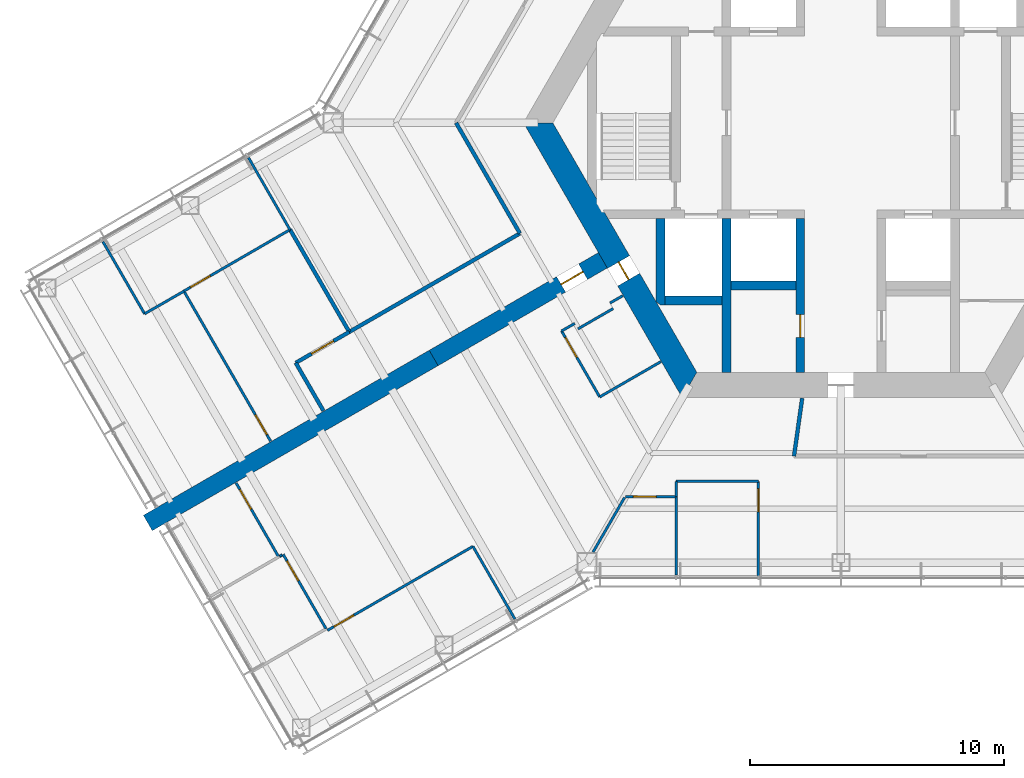
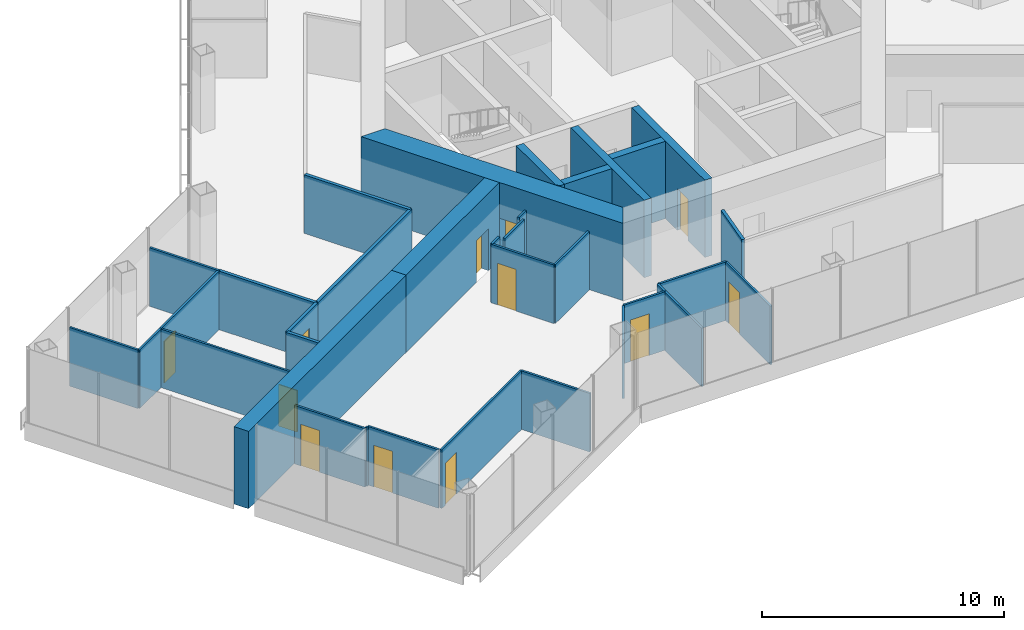
# One storey, part 12 of 18: 35 walls, 12 doors, 12 openings.
"""IFC4 building model written with IfcOpenShell, lengths in metres."""

from ifc_helpers import new_model, si_unit, direction, frame, frame_2d, origin, place, context, subcontext, project, spatial, polyline, rectangle, outline, extrude, material, layer, layer_set, type_object, element, fill, save


model = new_model("IFC4")

# Units and contexts
model_context = context("Model", 3, precision=1e-05, world=origin(), true_north=direction((0.0, 1.0)))
body_context = subcontext(model_context, "Body", "Model", "MODEL_VIEW")
ifc_project = project(units=[si_unit("LENGTHUNIT", "METRE"), si_unit("AREAUNIT", "SQUARE_METRE"), si_unit("VOLUMEUNIT", "CUBIC_METRE"), si_unit("PLANEANGLEUNIT", "RADIAN"), si_unit("MASSUNIT", "GRAM", prefix="KILO")], contexts=[model_context])

# Site, building, storey
site_placement = place(None, origin())
site = spatial("IfcSite", under=ifc_project, at=site_placement, CompositionType="ELEMENT")
building_placement = place(site_placement, origin())
building = spatial("IfcBuilding", under=site, at=building_placement, Name="Kasaneha Research Tower", CompositionType="ELEMENT")
storey_placement = place(building_placement, frame((0.0, 0.0, 195.5)))
storey = spatial("IfcBuildingStorey", under=building, at=storey_placement, Name="L49", CompositionType="ELEMENT", Elevation=195.5)

# Wall, opening, door
ifc_material_1 = material(Name="Concrete Fc70", Category="concrete")
ifc_layer_1 = layer(ifc_material_1, 0.35009765625)
ifc_layer_set_1 = layer_set([ifc_layer_1], Name="Core internal wall 350 Fc70")
wall_type_1 = type_object("IfcWallType", Name="Core internal wall 350 Fc70", PredefinedType="SHEAR", material=ifc_layer_set_1)
wall_1_placement = place(storey_placement, frame((-1.60009765625, -3.77490234375, 0.0), z_axis=(0.0, 0.0, 1.0), x_axis=(0.0, -1.0, 0.0)))
wall_1 = element("IfcWall", 1, at=wall_1_placement, inside=storey, type_object=wall_type_1, Name="Core wall CSW L49", PredefinedType="SHEAR", context=body_context, shape_type="SweptSolid", body=[
    extrude(rectangle(XDim=6.050048828125, YDim=0.35009765625, at=frame_2d((3.02490234375, 0.0))), origin(), (0.0, 0.0, 1.0), 3.89990234375),
])
opening_1_placement = place(wall_1_placement, frame((3.77490234375, 0.0, 0.0)))
opening_1 = element("IfcOpeningElement", 2, at=opening_1_placement, cuts=wall_1, Name="Opening L49-D16", PredefinedType="OPENING", context=body_context, shape_type="SweptSolid", body=[
    extrude(rectangle(XDim=0.89990234375, YDim=2.10009765625, at=frame_2d((0.449951171875, 1.050048828125))), frame((0.0, 0.18505859375, 0.0), z_axis=(0.0, -1.0, 0.0), x_axis=(1.0, 0.0, 0.0)), (0.0, 0.0, 1.0), 0.3701171875),
])
ifc_material_2 = material(Name="Steel", Category="steel")
door_type_1 = type_object("IfcDoorType", Name="Riser access door FD60 900x2100", OperationType="NOTDEFINED", PredefinedType="DOOR", material=ifc_material_2)
door_1_placement = place(opening_1_placement, origin())
door_1 = element("IfcDoor", 3, at=door_1_placement, inside=storey, type_object=door_type_1, Name="Electrical riser door L49-D16", OperationType="SINGLE_SWING_LEFT", OverallHeight=2.10009765625, OverallWidth=0.89990234375, PredefinedType="DOOR", context=body_context, shape_type="SweptSolid", body=[
    extrude(rectangle(XDim=0.89990234375, YDim=2.10009765625, at=frame_2d((0.449951171875, 1.050048828125))), frame((0.0, 0.02490234375, 0.0), z_axis=(0.0, -1.0, 0.0), x_axis=(1.0, 0.0, 0.0)), (0.0, 0.0, 1.0), 0.050048828125),
])
fill(opening_1, door_1)

# Walls
wall_2_placement = place(storey_placement, frame((-4.5, -3.77490234375, 0.0), z_axis=(0.0, 0.0, 1.0), x_axis=(0.0, -1.0, 0.0)))
element("IfcWall", 4, at=wall_2_placement, inside=storey, type_object=wall_type_1, Name="Core wall SSW L49", PredefinedType="SHEAR", context=body_context, shape_type="SweptSolid", body=[
    extrude(rectangle(XDim=6.050048828125, YDim=0.35009765625, at=frame_2d((3.02490234375, 0.0))), origin(), (0.0, 0.0, 1.0), 3.89990234375),
])
wall_3_placement = place(storey_placement, frame((-4.324951171875, -6.39990234375, 0.0), z_axis=(0.0, 0.0, 1.0), x_axis=(1.0, 0.0, 0.0)))
element("IfcWall", 5, at=wall_3_placement, inside=storey, type_object=wall_type_1, Name="Core wall S1S L49", PredefinedType="SHEAR", context=body_context, shape_type="SweptSolid", body=[
    extrude(rectangle(XDim=2.550048828125, YDim=0.35009765625, at=frame_2d((1.27490234375, 0.0))), origin(), (0.0, 0.0, 1.0), 3.89990234375),
])
wall_4_placement = place(storey_placement, frame((-6.925048828125, -7.0, 0.0), z_axis=(0.0, 0.0, 1.0), x_axis=(1.0, 0.0, 0.0)))
element("IfcWall", 6, at=wall_4_placement, inside=storey, type_object=wall_type_1, Name="Core wall F2S L49", PredefinedType="SHEAR", context=body_context, shape_type="SweptSolid", body=[
    extrude(rectangle(XDim=2.25, YDim=0.35009765625, at=frame_2d((1.125, 0.0))), origin(), (0.0, 0.0, 1.0), 3.89990234375),
])
wall_5_placement = place(storey_placement, frame((-7.10009765625, -3.77490234375, 0.0), z_axis=(0.0, 0.0, 1.0), x_axis=(0.0, -1.0, 0.0)))
element("IfcWall", 7, at=wall_5_placement, inside=storey, type_object=wall_type_1, Name="Core wall F2W L49", PredefinedType="SHEAR", context=body_context, shape_type="SweptSolid", body=[
    extrude(outline(polyline([(0.0, -0.175048828125), (3.2744140625, -0.175048828125), (3.400146484375, 0.0), (3.400146484375, 0.175048828125), (0.0, 0.175048828125), (0.0, -0.175048828125)])), origin(), (0.0, 0.0, 1.0), 3.89990234375),
])

# Wall, opening, door
ifc_material_3 = material(Name="Concrete Fc70", Category="concrete")
ifc_layer_2 = layer(ifc_material_3, 1.0)
ifc_layer_set_2 = layer_set([ifc_layer_2], Name="Core wall 1000 Fc70")
wall_type_2 = type_object("IfcWallType", Name="Core wall 1000 Fc70", PredefinedType="SHEAR", material=ifc_layer_set_2)
wall_6_placement = place(storey_placement, frame((-11.92236328125, 0.0, 0.0), z_axis=(0.0, 0.0, 1.0), x_axis=(0.500004296715, -0.866022923061, 0.0)))
wall_6 = element("IfcWall", 8, at=wall_6_placement, inside=storey, type_object=wall_type_2, Name="Core wall 210 L49", PredefinedType="SHEAR", context=body_context, shape_type="SweptSolid", body=[
    extrude(outline(polyline([(-0.28857421875, -0.5), (6.3310546875, -0.5), (7.131103515625, -0.5), (12.2109375, -0.5), (11.6337890625, 0.5), (7.131103515625, 0.5), (6.3310546875, 0.5), (0.28857421875, 0.5), (-0.28857421875, -0.5)])), origin(), (0.0, 0.0, 1.0), 3.89990234375),
])
opening_2_placement = place(wall_6_placement, frame((6.3310546875, 0.0, 0.0)))
opening_2 = element("IfcOpeningElement", 9, at=opening_2_placement, cuts=wall_6, Name="Opening L49-D06", PredefinedType="OPENING", context=body_context, shape_type="SweptSolid", body=[
    extrude(rectangle(XDim=0.800048828125, YDim=2.10009765625, at=frame_2d((0.39990234375, 1.050048828125))), frame((0.0, 0.510009765625, 0.0), z_axis=(0.0, -1.0, 0.0), x_axis=(1.0, 0.0, 0.0)), (0.0, 0.0, 1.0), 1.02001953125),
])
ifc_material_4 = material(Name="Steel", Category="steel")
door_type_2 = type_object("IfcDoorType", Name="Riser access door FD60 800x2100", OperationType="NOTDEFINED", PredefinedType="DOOR", material=ifc_material_4)
door_2_placement = place(opening_2_placement, origin())
door_2 = element("IfcDoor", 10, at=door_2_placement, inside=storey, type_object=door_type_2, Name="Duct riser door L49-D06", OperationType="SINGLE_SWING_RIGHT", OverallHeight=2.10009765625, OverallWidth=0.800048828125, PredefinedType="DOOR", context=body_context, shape_type="SweptSolid", body=[
    extrude(rectangle(XDim=0.800048828125, YDim=2.10009765625, at=frame_2d((0.39990234375, 1.050048828125))), frame((0.0, 0.02490234375, 0.0), z_axis=(0.0, -1.0, 0.0), x_axis=(1.0, 0.0, 0.0)), (0.0, 0.0, 1.0), 0.050048828125),
])
fill(opening_2, door_2)

# Walls
ifc_material_5 = material(Name="Gypsum board on steel studs, one layer each side", Category="steel")
ifc_layer_3 = layer(ifc_material_5, 0.10009765625)
ifc_layer_set_3 = layer_set([ifc_layer_3], Name="Office partition 100")
wall_type_3 = type_object("IfcWallType", Name="Office partition 100", PredefinedType="PARTITIONING", material=ifc_layer_set_3)
wall_7_placement = place(storey_placement, frame((-29.065185546875, -4.6796875, 0.0), z_axis=(0.0, 0.0, 1.0), x_axis=(0.500061797536, -0.86598972202, 0.0)))
element("IfcWall", 11, at=wall_7_placement, inside=storey, type_object=wall_type_3, Name="Office partition FBN07 L49", PredefinedType="PARTITIONING", context=body_context, shape_type="SweptSolid", body=[
    extrude(rectangle(XDim=3.27978515625, YDim=0.10009765625, at=frame_2d((1.639892578125, 0.0))), origin(), (0.0, 0.0, 1.0), 2.949951171875),
])
wall_8_placement = place(storey_placement, frame((-27.425048828125, -7.52001953125, 0.0), z_axis=(0.0, 0.0, 1.0), x_axis=(0.867394737581, 0.497620708188, 0.0)))
element("IfcWall", 12, at=wall_8_placement, inside=storey, type_object=wall_type_3, Name="Office partition FBN08 L49", PredefinedType="PARTITIONING", context=body_context, shape_type="SweptSolid", body=[
    extrude(rectangle(XDim=1.791259765625, YDim=0.10009765625, at=frame_2d((0.8955078125, 0.0))), origin(), (0.0, 0.0, 1.0), 2.949951171875),
])

# Wall, opening, door
wall_9_placement = place(storey_placement, frame((-25.8779296875, -6.627197265625, 0.0), z_axis=(0.0, 0.0, 1.0), x_axis=(0.500502111965, -0.865735315162, 0.0)))
wall_9 = element("IfcWall", 13, at=wall_9_placement, inside=storey, type_object=wall_type_3, Name="Office partition FBN09 L49", PredefinedType="PARTITIONING", context=body_context, shape_type="SweptSolid", body=[
    extrude(rectangle(XDim=6.82958984375, YDim=0.10009765625, at=frame_2d((3.414794921875, 0.0))), origin(), (0.0, 0.0, 1.0), 2.949951171875),
])
opening_3_placement = place(wall_9_placement, frame((5.629638671875, 0.0, 0.0)))
opening_3 = element("IfcOpeningElement", 14, at=opening_3_placement, cuts=wall_9, Name="Opening L49-D34", PredefinedType="OPENING", context=body_context, shape_type="SweptSolid", body=[
    extrude(rectangle(XDim=0.89990234375, YDim=2.10009765625, at=frame_2d((0.449951171875, 1.050048828125))), frame((0.0, 0.06005859375, 0.0), z_axis=(0.0, -1.0, 0.0), x_axis=(1.0, 0.0, 0.0)), (0.0, 0.0, 1.0), 0.1201171875),
])
ifc_material_6 = material(Name="Timber veneer", Category="wood")
door_type_3 = type_object("IfcDoorType", Name="Office door 900x2100", OperationType="SINGLE_SWING_LEFT", PredefinedType="DOOR", material=ifc_material_6)
door_3_placement = place(opening_3_placement, origin())
door_3 = element("IfcDoor", 15, at=door_3_placement, inside=storey, type_object=door_type_3, Name="Large meeting room door L49-D34", OperationType="SINGLE_SWING_RIGHT", OverallHeight=2.10009765625, OverallWidth=0.89990234375, PredefinedType="DOOR", context=body_context, shape_type="SweptSolid", body=[
    extrude(rectangle(XDim=0.89990234375, YDim=2.10009765625, at=frame_2d((0.449951171875, 1.050048828125))), frame((0.0, 0.02490234375, 0.0), z_axis=(0.0, -1.0, 0.0), x_axis=(1.0, 0.0, 0.0)), (0.0, 0.0, 1.0), 0.050048828125),
])
fill(opening_3, door_3)

# Wall
wall_10_placement = place(storey_placement, frame((-23.332275390625, -1.36962890625, 0.0), z_axis=(0.0, 0.0, 1.0), x_axis=(0.498789948492, -0.866722901095, 0.0)))
element("IfcWall", 16, at=wall_10_placement, inside=storey, type_object=wall_type_3, Name="Office partition FBN10 L49", PredefinedType="PARTITIONING", context=body_context, shape_type="SweptSolid", body=[
    extrude(rectangle(XDim=3.280029296875, YDim=0.10009765625, at=frame_2d((1.64013671875, 0.0))), origin(), (0.0, 0.0, 1.0), 2.949951171875),
])

# Wall, opening, door
wall_11_placement = place(storey_placement, frame((-21.694580078125, -4.206298828125, 0.0), z_axis=(0.0, 0.0, 1.0), x_axis=(-0.865554211136, -0.500815242963, 0.0)))
wall_11 = element("IfcWall", 17, at=wall_11_placement, inside=storey, type_object=wall_type_3, Name="Office partition FBN11 L49", PredefinedType="PARTITIONING", context=body_context, shape_type="SweptSolid", body=[
    extrude(rectangle(XDim=4.83349609375, YDim=0.10009765625, at=frame_2d((2.416748046875, 0.0))), origin(), (0.0, 0.0, 1.0), 2.949951171875),
])
opening_4_placement = place(wall_11_placement, frame((3.63330078125, 0.0, 0.0)))
opening_4 = element("IfcOpeningElement", 18, at=opening_4_placement, cuts=wall_11, Name="Opening L49-D35", PredefinedType="OPENING", context=body_context, shape_type="SweptSolid", body=[
    extrude(rectangle(XDim=0.89990234375, YDim=2.10009765625, at=frame_2d((0.449951171875, 1.050048828125))), frame((0.0, 0.06005859375, 0.0), z_axis=(0.0, -1.0, 0.0), x_axis=(1.0, 0.0, 0.0)), (0.0, 0.0, 1.0), 0.1201171875),
])
door_4_placement = place(opening_4_placement, origin())
door_4 = element("IfcDoor", 19, at=door_4_placement, inside=storey, type_object=door_type_3, Name="Meeting room door L49-D35", OperationType="SINGLE_SWING_RIGHT", OverallHeight=2.10009765625, OverallWidth=0.89990234375, PredefinedType="DOOR", context=body_context, shape_type="SweptSolid", body=[
    extrude(rectangle(XDim=0.89990234375, YDim=2.10009765625, at=frame_2d((0.449951171875, 1.050048828125))), frame((0.0, 0.02490234375, 0.0), z_axis=(0.0, -1.0, 0.0), x_axis=(1.0, 0.0, 0.0)), (0.0, 0.0, 1.0), 0.050048828125),
])
fill(opening_4, door_4)

# Walls
wall_12_placement = place(storey_placement, frame((-10.99951171875, -8.197998046875, 0.0), z_axis=(0.0, 0.0, 1.0), x_axis=(0.866131372301, 0.499816412211, 0.0)))
element("IfcWall", 20, at=wall_12_placement, inside=storey, type_object=wall_type_3, Name="Office partition FBS01 L49", PredefinedType="PARTITIONING", context=body_context, shape_type="SweptSolid", body=[
    extrude(rectangle(XDim=0.599853515625, YDim=0.10009765625, at=frame_2d((0.2998046875, 0.0))), origin(), (0.0, 0.0, 1.0), 2.949951171875),
])
wall_13_placement = place(storey_placement, frame((-10.35498046875, -8.114501953125, 0.0), z_axis=(0.0, 0.0, 1.0), x_axis=(0.866094119867, 0.499880961361, 0.0)))
element("IfcWall", 21, at=wall_13_placement, inside=storey, type_object=wall_type_3, Name="Office partition FBS02 L49", PredefinedType="PARTITIONING", context=body_context, shape_type="SweptSolid", body=[
    extrude(rectangle(XDim=1.60009765625, YDim=0.10009765625, at=frame_2d((0.800048828125, 0.0))), origin(), (0.0, 0.0, 1.0), 2.949951171875),
])

# Wall, opening, door
wall_14_placement = place(storey_placement, frame((-9.49951171875, -10.796142578125, 0.0), z_axis=(0.0, 0.0, 1.0), x_axis=(-0.499990139034, 0.866031096941, 0.0)))
wall_14 = element("IfcWall", 22, at=wall_14_placement, inside=storey, type_object=wall_type_3, Name="Office partition FBS03 L49", PredefinedType="PARTITIONING", context=body_context, shape_type="SweptSolid", body=[
    extrude(rectangle(XDim=3.0, YDim=0.10009765625, at=frame_2d((1.5, 0.0))), origin(), (0.0, 0.0, 1.0), 2.949951171875),
])
opening_5_placement = place(wall_14_placement, frame((1.800048828125, 0.0, 0.0)))
opening_5 = element("IfcOpeningElement", 23, at=opening_5_placement, cuts=wall_14, Name="Opening L49-D37", PredefinedType="OPENING", context=body_context, shape_type="SweptSolid", body=[
    extrude(rectangle(XDim=0.89990234375, YDim=2.10009765625, at=frame_2d((0.449951171875, 1.050048828125))), frame((0.0, 0.06005859375, 0.0), z_axis=(0.0, -1.0, 0.0), x_axis=(1.0, 0.0, 0.0)), (0.0, 0.0, 1.0), 0.1201171875),
])
door_5_placement = place(opening_5_placement, origin())
door_5 = element("IfcDoor", 24, at=door_5_placement, inside=storey, type_object=door_type_3, Name="Pantry door L49-D37", OperationType="SINGLE_SWING_RIGHT", OverallHeight=2.10009765625, OverallWidth=0.89990234375, PredefinedType="DOOR", context=body_context, shape_type="SweptSolid", body=[
    extrude(rectangle(XDim=0.89990234375, YDim=2.10009765625, at=frame_2d((0.449951171875, 1.050048828125))), frame((0.0, 0.02490234375, 0.0), z_axis=(0.0, -1.0, 0.0), x_axis=(1.0, 0.0, 0.0)), (0.0, 0.0, 1.0), 0.050048828125),
])
fill(opening_5, door_5)

# Walls
wall_15_placement = place(storey_placement, frame((-9.09423828125, -7.09814453125, 0.0), z_axis=(0.0, 0.0, 1.0), x_axis=(0.865954211699, 0.50012328804, 0.0)))
element("IfcWall", 25, at=wall_15_placement, inside=storey, type_object=wall_type_3, Name="Office partition FBS04 L49", PredefinedType="PARTITIONING", context=body_context, shape_type="SweptSolid", body=[
    extrude(rectangle(XDim=0.579833984375, YDim=0.10009765625, at=frame_2d((0.2900390625, 0.0))), origin(), (0.0, 0.0, 1.0), 2.949951171875),
])
wall_16_placement = place(storey_placement, frame((-7.092041015625, -9.40625, 0.0), z_axis=(0.0, 0.0, 1.0), x_axis=(-0.86603494908, -0.499983466698, 0.0)))
element("IfcWall", 26, at=wall_16_placement, inside=storey, type_object=wall_type_3, Name="Office partition FBS05 L49", PredefinedType="PARTITIONING", context=body_context, shape_type="SweptSolid", body=[
    extrude(rectangle(XDim=2.77978515625, YDim=0.10009765625, at=frame_2d((1.389892578125, 0.0))), origin(), (0.0, 0.0, 1.0), 2.949951171875),
])

# Wall, opening, door
wall_17_placement = place(storey_placement, frame((-20.22509765625, -19.99072265625, 0.0), z_axis=(0.0, 0.0, 1.0), x_axis=(0.866030817826, 0.499990622488, 0.0)))
wall_17 = element("IfcWall", 27, at=wall_17_placement, inside=storey, type_object=wall_type_3, Name="Office partition FBS07 L49", PredefinedType="PARTITIONING", context=body_context, shape_type="SweptSolid", body=[
    extrude(rectangle(XDim=6.619873046875, YDim=0.10009765625, at=frame_2d((3.31005859375, 0.0))), origin(), (0.0, 0.0, 1.0), 2.949951171875),
])
opening_6_placement = place(wall_17_placement, frame((0.300048828125, 0.0, 0.0)))
opening_6 = element("IfcOpeningElement", 28, at=opening_6_placement, cuts=wall_17, Name="Opening L49-D38", PredefinedType="OPENING", context=body_context, shape_type="SweptSolid", body=[
    extrude(rectangle(XDim=0.89990234375, YDim=2.10009765625, at=frame_2d((0.449951171875, 1.050048828125))), frame((0.0, 0.06005859375, 0.0), z_axis=(0.0, -1.0, 0.0), x_axis=(1.0, 0.0, 0.0)), (0.0, 0.0, 1.0), 0.1201171875),
])
door_6_placement = place(opening_6_placement, origin())
door_6 = element("IfcDoor", 29, at=door_6_placement, inside=storey, type_object=door_type_3, Name="Interview room door L49-D38", OperationType="SINGLE_SWING_LEFT", OverallHeight=2.10009765625, OverallWidth=0.89990234375, PredefinedType="DOOR", context=body_context, shape_type="SweptSolid", body=[
    extrude(rectangle(XDim=0.89990234375, YDim=2.10009765625, at=frame_2d((0.449951171875, 1.050048828125))), frame((0.0, 0.02490234375, 0.0), z_axis=(0.0, -1.0, 0.0), x_axis=(1.0, 0.0, 0.0)), (0.0, 0.0, 1.0), 0.050048828125),
])
fill(opening_6, door_6)

# Wall
wall_18_placement = place(storey_placement, frame((-14.4921875, -16.680908203125, 0.0), z_axis=(0.0, 0.0, 1.0), x_axis=(0.500008057651, -0.866020751647, 0.0)))
element("IfcWall", 30, at=wall_18_placement, inside=storey, type_object=wall_type_3, Name="Office partition FBS08 L49", PredefinedType="PARTITIONING", context=body_context, shape_type="SweptSolid", body=[
    extrude(rectangle(XDim=3.30517578125, YDim=0.10009765625, at=frame_2d((1.652587890625, 0.0))), origin(), (0.0, 0.0, 1.0), 2.949951171875),
])

# Wall, opening, door
wall_19_placement = place(storey_placement, frame((-21.966796875, -16.993408203125, 0.0), z_axis=(0.0, 0.0, 1.0), x_axis=(0.498972655929, -0.866617729241, 0.0)))
wall_19 = element("IfcWall", 31, at=wall_19_placement, inside=storey, type_object=wall_type_3, Name="Office partition FBS10 L49", PredefinedType="PARTITIONING", context=body_context, shape_type="SweptSolid", body=[
    extrude(rectangle(XDim=3.38330078125, YDim=0.10009765625, at=frame_2d((1.691650390625, 0.0))), origin(), (0.0, 0.0, 1.0), 2.949951171875),
])
opening_7_placement = place(wall_19_placement, frame((0.300048828125, 0.0, 0.0)))
opening_7 = element("IfcOpeningElement", 32, at=opening_7_placement, cuts=wall_19, Name="Opening L49-D39", PredefinedType="OPENING", context=body_context, shape_type="SweptSolid", body=[
    extrude(rectangle(XDim=0.89990234375, YDim=2.10009765625, at=frame_2d((0.449951171875, 1.050048828125))), frame((0.0, 0.06005859375, 0.0), z_axis=(0.0, -1.0, 0.0), x_axis=(1.0, 0.0, 0.0)), (0.0, 0.0, 1.0), 0.1201171875),
])
door_7_placement = place(opening_7_placement, origin())
door_7 = element("IfcDoor", 33, at=door_7_placement, inside=storey, type_object=door_type_3, Name="Manager's office door L49-D39", OperationType="SINGLE_SWING_LEFT", OverallHeight=2.10009765625, OverallWidth=0.89990234375, PredefinedType="DOOR", context=body_context, shape_type="SweptSolid", body=[
    extrude(rectangle(XDim=0.89990234375, YDim=2.10009765625, at=frame_2d((0.449951171875, 1.050048828125))), frame((0.0, 0.02490234375, 0.0), z_axis=(0.0, -1.0, 0.0), x_axis=(1.0, 0.0, 0.0)), (0.0, 0.0, 1.0), 0.050048828125),
])
fill(opening_7, door_7)

wall_20_placement = place(storey_placement, frame((-23.82177734375, -14.1806640625, 0.0), z_axis=(0.0, 0.0, 1.0), x_axis=(0.498880193261, -0.866670959922, 0.0)))
wall_20 = element("IfcWall", 34, at=wall_20_placement, inside=storey, type_object=wall_type_3, Name="Office partition FBS11 L49", PredefinedType="PARTITIONING", context=body_context, shape_type="SweptSolid", body=[
    extrude(rectangle(XDim=3.363525390625, YDim=0.10009765625, at=frame_2d((1.681640625, 0.0))), origin(), (0.0, 0.0, 1.0), 2.949951171875),
])
opening_8_placement = place(wall_20_placement, frame((0.300048828125, 0.0, 0.0)))
opening_8 = element("IfcOpeningElement", 35, at=opening_8_placement, cuts=wall_20, Name="Opening L49-D40", PredefinedType="OPENING", context=body_context, shape_type="SweptSolid", body=[
    extrude(rectangle(XDim=0.89990234375, YDim=2.10009765625, at=frame_2d((0.449951171875, 1.050048828125))), frame((0.0, 0.06005859375, 0.0), z_axis=(0.0, -1.0, 0.0), x_axis=(1.0, 0.0, 0.0)), (0.0, 0.0, 1.0), 0.1201171875),
])
door_8_placement = place(opening_8_placement, origin())
door_8 = element("IfcDoor", 36, at=door_8_placement, inside=storey, type_object=door_type_3, Name="Workroom door L49-D40", OperationType="SINGLE_SWING_LEFT", OverallHeight=2.10009765625, OverallWidth=0.89990234375, PredefinedType="DOOR", context=body_context, shape_type="SweptSolid", body=[
    extrude(rectangle(XDim=0.89990234375, YDim=2.10009765625, at=frame_2d((0.449951171875, 1.050048828125))), frame((0.0, 0.02490234375, 0.0), z_axis=(0.0, -1.0, 0.0), x_axis=(1.0, 0.0, 0.0)), (0.0, 0.0, 1.0), 0.050048828125),
])
fill(opening_8, door_8)

# Walls
wall_21_placement = place(storey_placement, frame((-6.492919921875, -17.800537109375, 0.0), z_axis=(0.0, 0.0, 1.0), x_axis=(0.0, 1.0, 0.0)))
element("IfcWall", 37, at=wall_21_placement, inside=storey, type_object=wall_type_3, Name="Office partition FCS10 L49", PredefinedType="PARTITIONING", context=body_context, shape_type="SweptSolid", body=[
    extrude(rectangle(XDim=3.0849609375, YDim=0.10009765625, at=frame_2d((1.54248046875, 0.0))), origin(), (0.0, 0.0, 1.0), 2.949951171875),
])
wall_22_placement = place(storey_placement, frame((-6.492919921875, -14.72509765625, 0.0), z_axis=(0.0, 0.0, 1.0), x_axis=(0.0, 1.0, 0.0)))
element("IfcWall", 38, at=wall_22_placement, inside=storey, type_object=wall_type_3, Name="Office partition FCS11 L49", PredefinedType="PARTITIONING", context=body_context, shape_type="SweptSolid", body=[
    extrude(rectangle(XDim=0.6044921875, YDim=0.10009765625, at=frame_2d((0.30224609375, 0.0))), origin(), (0.0, 0.0, 1.0), 2.949951171875),
])
wall_23_placement = place(storey_placement, frame((-6.492919921875, -14.12060546875, 0.0), z_axis=(0.0, 0.0, 1.0), x_axis=(1.0, 0.0, 0.0)))
element("IfcWall", 39, at=wall_23_placement, inside=storey, type_object=wall_type_3, Name="Office partition FCS12 L49", PredefinedType="PARTITIONING", context=body_context, shape_type="SweptSolid", body=[
    extrude(rectangle(XDim=3.24658203125, YDim=0.10009765625, at=frame_2d((1.623291015625, 0.0))), origin(), (0.0, 0.0, 1.0), 2.949951171875),
])

# Wall, opening, door
wall_24_placement = place(storey_placement, frame((-3.246337890625, -14.12060546875, 0.0), z_axis=(0.0, 0.0, 1.0), x_axis=(0.0, -1.0, 0.0)))
wall_24 = element("IfcWall", 40, at=wall_24_placement, inside=storey, type_object=wall_type_3, Name="Office partition FCS13 L49", PredefinedType="PARTITIONING", context=body_context, shape_type="SweptSolid", body=[
    extrude(rectangle(XDim=3.72998046875, YDim=0.10009765625, at=frame_2d((1.864990234375, 0.0))), origin(), (0.0, 0.0, 1.0), 2.949951171875),
])
opening_9_placement = place(wall_24_placement, frame((0.300048828125, 0.0, 0.0)))
opening_9 = element("IfcOpeningElement", 41, at=opening_9_placement, cuts=wall_24, Name="Opening L49-D46", PredefinedType="OPENING", context=body_context, shape_type="SweptSolid", body=[
    extrude(rectangle(XDim=0.89990234375, YDim=2.10009765625, at=frame_2d((0.449951171875, 1.050048828125))), frame((0.0, 0.06005859375, 0.0), z_axis=(0.0, -1.0, 0.0), x_axis=(1.0, 0.0, 0.0)), (0.0, 0.0, 1.0), 0.1201171875),
])
door_9_placement = place(opening_9_placement, origin())
door_9 = element("IfcDoor", 42, at=door_9_placement, inside=storey, type_object=door_type_3, Name="Manager's office door L49-D46", OperationType="SINGLE_SWING_LEFT", OverallHeight=2.10009765625, OverallWidth=0.89990234375, PredefinedType="DOOR", context=body_context, shape_type="SweptSolid", body=[
    extrude(rectangle(XDim=0.89990234375, YDim=2.10009765625, at=frame_2d((0.449951171875, 1.050048828125))), frame((0.0, 0.02490234375, 0.0), z_axis=(0.0, -1.0, 0.0), x_axis=(1.0, 0.0, 0.0)), (0.0, 0.0, 1.0), 0.050048828125),
])
fill(opening_9, door_9)

wall_25_placement = place(storey_placement, frame((-8.475830078125, -14.720458984375, 0.0), z_axis=(0.0, 0.0, 1.0), x_axis=(0.99999726379, -0.002339318888, 0.0)))
wall_25 = element("IfcWall", 43, at=wall_25_placement, inside=storey, type_object=wall_type_3, Name="Office partition FCS16 L49", PredefinedType="PARTITIONING", context=body_context, shape_type="SweptSolid", body=[
    extrude(rectangle(XDim=1.98291015625, YDim=0.10009765625, at=frame_2d((0.991455078125, 0.0))), origin(), (0.0, 0.0, 1.0), 2.949951171875),
])
opening_10_placement = place(wall_25_placement, frame((0.300048828125, 0.0, 0.0)))
opening_10 = element("IfcOpeningElement", 44, at=opening_10_placement, cuts=wall_25, Name="Opening L49-D48", PredefinedType="OPENING", context=body_context, shape_type="SweptSolid", body=[
    extrude(rectangle(XDim=0.89990234375, YDim=2.10009765625, at=frame_2d((0.449951171875, 1.050048828125))), frame((0.0, 0.06005859375, 0.0), z_axis=(0.0, -1.0, 0.0), x_axis=(1.0, 0.0, 0.0)), (0.0, 0.0, 1.0), 0.1201171875),
])
door_10_placement = place(opening_10_placement, origin())
door_10 = element("IfcDoor", 45, at=door_10_placement, inside=storey, type_object=door_type_3, Name="Phone room door L49-D48", OperationType="SINGLE_SWING_LEFT", OverallHeight=2.10009765625, OverallWidth=0.89990234375, PredefinedType="DOOR", context=body_context, shape_type="SweptSolid", body=[
    extrude(rectangle(XDim=0.89990234375, YDim=2.10009765625, at=frame_2d((0.449951171875, 1.050048828125))), frame((0.0, 0.02490234375, 0.0), z_axis=(0.0, -1.0, 0.0), x_axis=(1.0, 0.0, 0.0)), (0.0, 0.0, 1.0), 0.050048828125),
])
fill(opening_10, door_10)

# Walls
wall_26_placement = place(storey_placement, frame((-22.01025390625, -17.018310546875, 0.0), z_axis=(0.0, 0.0, 1.0), x_axis=(-0.866224454185, -0.499655075999, 0.0)))
element("IfcWall", 46, at=wall_26_placement, inside=storey, type_object=wall_type_3, Name="Office partition closer PT5 L49", PredefinedType="PARTITIONING", context=body_context, shape_type="SweptSolid", body=[
    extrude(rectangle(XDim=0.1044921875, YDim=0.10009765625, at=frame_2d((0.05224609375, 0.0))), origin(), (0.0, 0.0, 1.0), 2.949951171875),
])
wall_27_placement = place(storey_placement, frame((-9.75927734375, -16.903564453125, 0.0), z_axis=(0.0, 0.0, 1.0), x_axis=(0.500049399443, 0.865996881124, 0.0)))
element("IfcWall", 47, at=wall_27_placement, inside=storey, type_object=wall_type_3, Name="Office partition closer PT5 L49", PredefinedType="PARTITIONING", context=body_context, shape_type="SweptSolid", body=[
    extrude(rectangle(XDim=2.477783203125, YDim=0.10009765625, at=frame_2d((1.23876953125, 0.0))), origin(), (0.0, 0.0, 1.0), 2.949951171875),
])

# Wall, opening, door
ifc_material_7 = material(Name="Concrete Fc70", Category="concrete")
ifc_layer_4 = layer(ifc_material_7, 0.699951171875)
ifc_layer_set_4 = layer_set([ifc_layer_4], Name="Spine wall 700 Fc70")
wall_type_4 = type_object("IfcWallType", Name="Spine wall 700 Fc70", PredefinedType="SHEAR", material=ifc_layer_set_4)
wall_28_placement = place(storey_placement, frame((-9.374755859375, -5.41259765625, 0.0), z_axis=(0.0, 0.0, 1.0), x_axis=(-0.866032377459, -0.499987921047, 0.0)))
wall_28 = element("IfcWall", 48, at=wall_28_placement, inside=storey, type_object=wall_type_4, Name="Spine wall B L49", PredefinedType="SHEAR", context=body_context, shape_type="SweptSolid", body=[
    extrude(rectangle(XDim=7.695556640625, YDim=0.699951171875, at=frame_2d((3.84765625, 0.0))), origin(), (0.0, 0.0, 1.0), 3.89990234375),
])
opening_11_placement = place(wall_28_placement, frame((0.89990234375, 0.0, 0.0)))
opening_11 = element("IfcOpeningElement", 49, at=opening_11_placement, cuts=wall_28, Name="Opening L49-D18", PredefinedType="OPENING", context=body_context, shape_type="SweptSolid", body=[
    extrude(rectangle(XDim=1.0, YDim=2.10009765625, at=frame_2d((0.5, 1.050048828125))), frame((0.0, 0.35986328125, 0.0), z_axis=(0.0, -1.0, 0.0), x_axis=(1.0, 0.0, 0.0)), (0.0, 0.0, 1.0), 0.719970703125),
])
ifc_material_8 = material(Name="Steel", Category="steel")
door_type_4 = type_object("IfcDoorType", Name="Specified fire door FD60 1000x2100", OperationType="NOTDEFINED", PredefinedType="DOOR", material=ifc_material_8)
door_11_placement = place(opening_11_placement, origin())
door_11 = element("IfcDoor", 50, at=door_11_placement, inside=storey, type_object=door_type_4, Name="Spine doorway B L49-D18", OperationType="SINGLE_SWING_LEFT", OverallHeight=2.10009765625, OverallWidth=1.0, PredefinedType="DOOR", context=body_context, shape_type="SweptSolid", body=[
    extrude(rectangle(XDim=1.0, YDim=2.10009765625, at=frame_2d((0.5, 1.050048828125))), frame((0.0, 0.02490234375, 0.0), z_axis=(0.0, -1.0, 0.0), x_axis=(1.0, 0.0, 0.0)), (0.0, 0.0, 1.0), 0.050048828125),
])
fill(opening_11, door_11)

# Walls
wall_29_placement = place(storey_placement, frame((-16.039306640625, -9.26025390625, 0.0), z_axis=(0.0, 0.0, 1.0), x_axis=(-0.866024837091, -0.50000098154, 0.0)))
element("IfcWall", 51, at=wall_29_placement, inside=storey, type_object=wall_type_4, Name="Spine wall B wing L49", PredefinedType="SHEAR", context=body_context, shape_type="SweptSolid", body=[
    extrude(rectangle(XDim=13.0, YDim=0.699951171875, at=frame_2d((6.5, 0.0))), origin(), (0.0, 0.0, 1.0), 3.89990234375),
])
ifc_material_9 = material(Name="Gypsum board on steel studs, two layers each side", Category="steel")
ifc_layer_5 = layer(ifc_material_9, 0.14990234375)
ifc_layer_set_5 = layer_set([ifc_layer_5], Name="Suite partition 150")
wall_type_5 = type_object("IfcWallType", Name="Suite partition 150", PredefinedType="PARTITIONING", material=ifc_layer_set_5)
wall_30_placement = place(storey_placement, frame((-19.37158203125, -8.23974609375, 0.0), z_axis=(0.0, 0.0, 1.0), x_axis=(0.866015031168, 0.500017965468, 0.0)))
element("IfcWall", 52, at=wall_30_placement, inside=storey, type_object=wall_type_5, Name="Suite partition FBN01 L49", PredefinedType="PARTITIONING", context=body_context, shape_type="SweptSolid", body=[
    extrude(rectangle(XDim=7.771240234375, YDim=0.14990234375, at=frame_2d((3.8857421875, 0.0))), origin(), (0.0, 0.0, 1.0), 2.949951171875),
])
wall_31_placement = place(storey_placement, frame((-12.6416015625, -4.35400390625, 0.0), z_axis=(0.0, 0.0, 1.0), x_axis=(-0.500019495363, 0.866014147839, 0.0)))
element("IfcWall", 53, at=wall_31_placement, inside=storey, type_object=wall_type_5, Name="Suite partition FBN03 L49", PredefinedType="PARTITIONING", context=body_context, shape_type="SweptSolid", body=[
    extrude(rectangle(XDim=5.027587890625, YDim=0.14990234375, at=frame_2d((2.513671875, 0.0))), origin(), (0.0, 0.0, 1.0), 2.949951171875),
])

# Wall, opening, door
wall_32_placement = place(storey_placement, frame((-21.47119140625, -9.451904296875, 0.0), z_axis=(0.0, 0.0, 1.0), x_axis=(0.866025270247, 0.500000231294, 0.0)))
wall_32 = element("IfcWall", 54, at=wall_32_placement, inside=storey, type_object=wall_type_5, Name="Suite partition FBN05 L49", PredefinedType="PARTITIONING", context=body_context, shape_type="SweptSolid", body=[
    extrude(rectangle(XDim=2.4345703125, YDim=0.14990234375, at=frame_2d((1.21728515625, 0.0))), origin(), (0.0, 0.0, 1.0), 2.949951171875),
])
opening_12_placement = place(wall_32_placement, frame((0.71728515625, 0.0, 0.0)))
opening_12 = element("IfcOpeningElement", 55, at=opening_12_placement, cuts=wall_32, Name="Opening L49-D33", PredefinedType="OPENING", context=body_context, shape_type="SweptSolid", body=[
    extrude(rectangle(XDim=1.0, YDim=2.10009765625, at=frame_2d((0.5, 1.050048828125))), frame((0.0, 0.0849609375, 0.0), z_axis=(0.0, -1.0, 0.0), x_axis=(1.0, 0.0, 0.0)), (0.0, 0.0, 1.0), 0.169921875),
])
ifc_material_10 = material(Name="Steel", Category="steel")
door_type_5 = type_object("IfcDoorType", Name="Suite entrance door FD60 1000x2100", OperationType="NOTDEFINED", PredefinedType="DOOR", material=ifc_material_10)
door_12_placement = place(opening_12_placement, origin())
door_12 = element("IfcDoor", 56, at=door_12_placement, inside=storey, type_object=door_type_5, Name="Suite entrance door L49-D33", OperationType="SINGLE_SWING_RIGHT", OverallHeight=2.10009765625, OverallWidth=1.0, PredefinedType="DOOR", context=body_context, shape_type="SweptSolid", body=[
    extrude(rectangle(XDim=1.0, YDim=2.10009765625, at=frame_2d((0.5, 1.050048828125))), frame((0.0, 0.02490234375, 0.0), z_axis=(0.0, -1.0, 0.0), x_axis=(1.0, 0.0, 0.0)), (0.0, 0.0, 1.0), 0.050048828125),
])
fill(opening_12, door_12)

# Walls
wall_33_placement = place(storey_placement, frame((-20.381103515625, -11.33984375, 0.0), z_axis=(0.0, 0.0, 1.0), x_axis=(-0.500029427677, 0.866008413041, 0.0)))
element("IfcWall", 57, at=wall_33_placement, inside=storey, type_object=wall_type_5, Name="Suite partition FBN06 L49", PredefinedType="PARTITIONING", context=body_context, shape_type="SweptSolid", body=[
    extrude(rectangle(XDim=2.179931640625, YDim=0.14990234375, at=frame_2d((1.08984375, 0.0))), origin(), (0.0, 0.0, 1.0), 2.949951171875),
])
wall_34_placement = place(storey_placement, frame((-19.363037109375, -8.234130859375, 0.0), z_axis=(0.0, 0.0, 1.0), x_axis=(-0.500877035324, 0.865518454734, 0.0)))
element("IfcWall", 58, at=wall_34_placement, inside=storey, type_object=wall_type_5, Name="Suite partition FBN15 L49", PredefinedType="PARTITIONING", context=body_context, shape_type="SweptSolid", body=[
    extrude(rectangle(XDim=4.654052734375, YDim=0.14990234375, at=frame_2d((2.3271484375, 0.0))), origin(), (0.0, 0.0, 1.0), 2.949951171875),
])
wall_35_placement = place(storey_placement, frame((-1.844482421875, -13.125, 0.0), z_axis=(0.0, 0.0, 1.0), x_axis=(0.139119980631, 0.990275532864, 0.0)))
element("IfcWall", 59, at=wall_35_placement, inside=storey, type_object=wall_type_5, Name="Suite partition FCS01 L49", PredefinedType="PARTITIONING", context=body_context, shape_type="SweptSolid", body=[
    extrude(rectangle(XDim=2.302490234375, YDim=0.14990234375, at=frame_2d((1.1513671875, 0.0))), origin(), (0.0, 0.0, 1.0), 2.949951171875),
])

save(model, "model.ifc")
